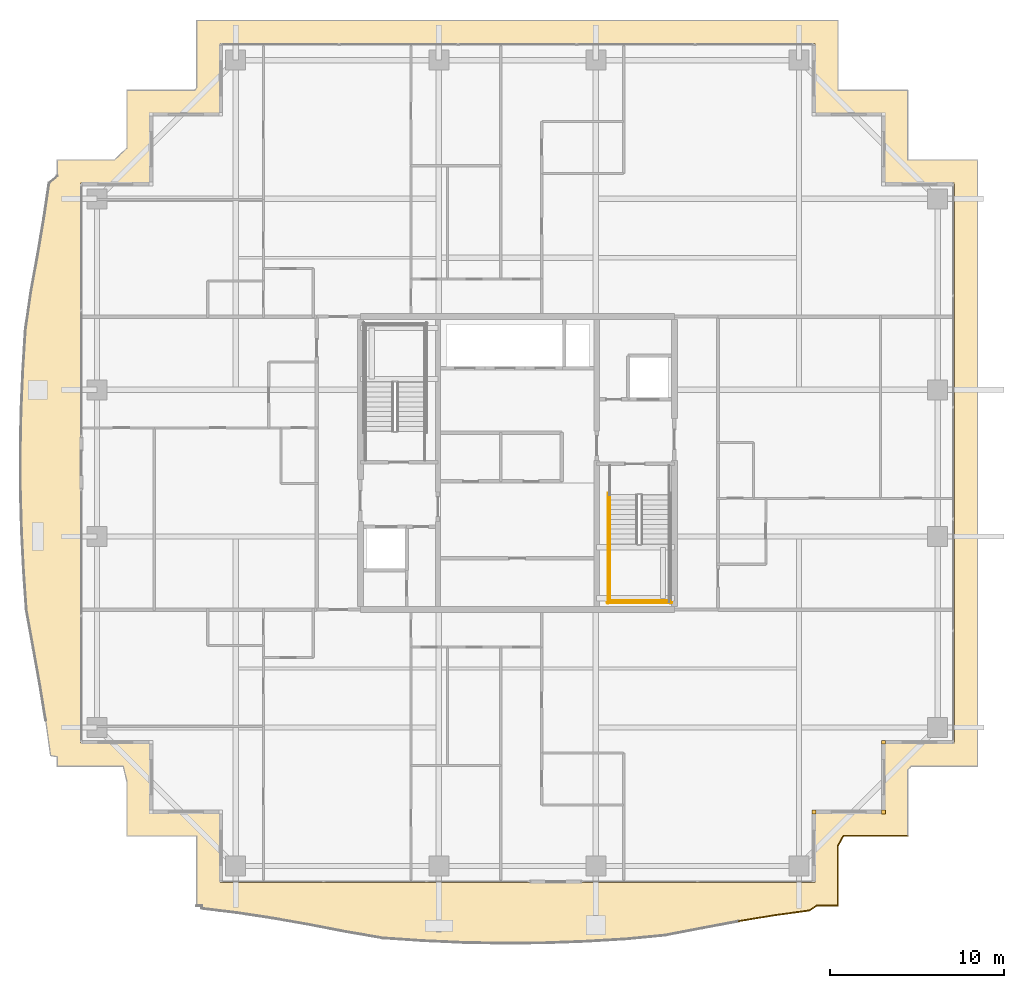
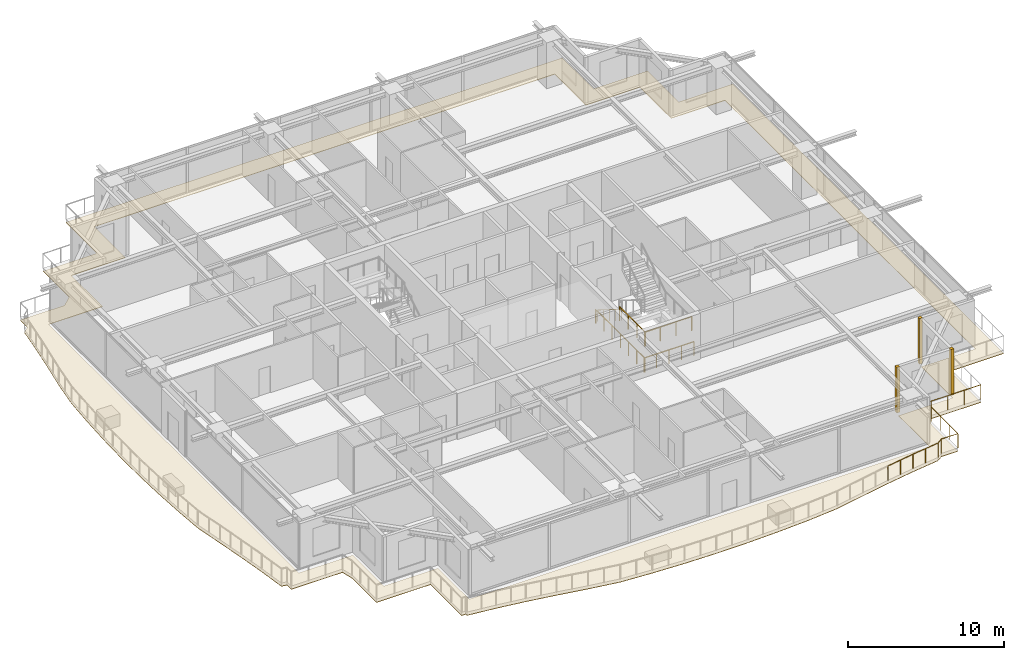
# One storey, part 34 of 36: 6 railings, 4 coverings.
"""IFC4 building model written with IfcOpenShell, lengths in metres."""

from ifc_helpers import new_model, si_unit, direction, frame, origin, origin_2d, place, context, subcontext, project, spatial, polyline, rectangle, circle, outline, extrude, source, transform, mapped, material, layer, layer_set, type_object, element, save


model = new_model("IFC4")

# Units and contexts
model_context = context("Model", 3, precision=1e-05, world=origin(), true_north=direction((0.0, 1.0)))
body_context = subcontext(model_context, "Body", "Model", "MODEL_VIEW")
ifc_project = project(units=[si_unit("LENGTHUNIT", "METRE"), si_unit("AREAUNIT", "SQUARE_METRE"), si_unit("VOLUMEUNIT", "CUBIC_METRE"), si_unit("PLANEANGLEUNIT", "RADIAN"), si_unit("MASSUNIT", "GRAM", prefix="KILO")], contexts=[model_context])

# Site, building, storey
site_placement = place(None, origin())
site = spatial("IfcSite", under=ifc_project, at=site_placement, CompositionType="ELEMENT")
building_placement = place(site_placement, origin())
building = spatial("IfcBuilding", under=site, at=building_placement, Name="Serunith Strait Residences", CompositionType="ELEMENT")
storey_placement = place(building_placement, frame((0.0, 0.0, 225.85009765625)))
storey = spatial("IfcBuildingStorey", under=building, at=storey_placement, Name="L56", CompositionType="ELEMENT", Elevation=225.85009765625)

# Covering
ifc_material_1 = material(Name="Golden Teak Exterior Timber Boarding", Category="wood")
ifc_layer_1 = layer(ifc_material_1, 0.034912109375, Name="Golden Teak Exterior Timber Boarding")
ifc_layer_set_1 = layer_set([ifc_layer_1], Name="Golden Teak Exterior Timber Boarding")
covering_type_1 = type_object("IfcCoveringType", Name="COV-TEAK-SOFFIT", PredefinedType="CEILING", material=ifc_layer_set_1)
covering_placement = place(storey_placement, frame((0.0, 0.0, -0.3251953125)))
element("IfcCovering", 1, at=covering_placement, inside=storey, type_object=covering_type_1, Name="L56 Golden-Teak Balcony Soffit Lining", PredefinedType="CEILING", context=body_context, shape_type="SweptSolid", body=[
    extrude(outline(polyline([(14.02001953125, -0.179931640625), (14.02001953125, 3.820068359375), (10.02001953125, 3.820068359375), (10.02001953125, 6.948974609375), (9.80712890625, 7.820068359375), (6.02001953125, 7.820068359375), (6.02001953125, 8.369384765625), (5.64404296875, 8.43310546875), (5.3603515625, 10.46337890625), (5.024658203125, 12.51611328125), (4.648681640625, 14.608154296875), (4.257080078125, 16.757080078125), (4.09814453125, 19.020751953125), (3.98388671875, 21.31640625), (3.919921875, 23.633544921875), (3.9111328125, 25.959716796875), (3.958740234375, 28.281005859375), (4.05810546875, 30.5849609375), (4.200927734375, 32.860595703125), (4.51904296875, 35.05126953125), (4.90380859375, 37.160888671875), (5.25439453125, 39.22509765625), (5.555908203125, 41.26171875), (6.02001953125, 41.655029296875), (6.02001953125, 42.580078125), (9.29833984375, 42.580078125), (10.02001953125, 43.2548828125), (10.02001953125, 46.580078125), (13.918212890625, 46.580078125), (14.02001953125, 46.735595703125), (14.02001953125, 50.580078125), (50.780029296875, 50.580078125), (50.780029296875, 46.580078125), (54.780029296875, 46.580078125), (54.780029296875, 42.580078125), (58.780029296875, 42.580078125), (58.780029296875, 7.820068359375), (54.97509765625, 7.820068359375), (54.780029296875, 7.597900390625), (54.780029296875, 3.820068359375), (51.09521484375, 3.820068359375), (50.780029296875, 3.25146484375), (50.780029296875, -0.179931640625), (49.544921875, -0.179931640625), (49.1474609375, -0.45556640625), (47.122314453125, -0.73291015625), (45.07861328125, -1.069091796875), (42.997802734375, -1.45654296875), (40.85986328125, -1.871337890625), (38.60595703125, -2.0869140625), (36.30419921875, -2.224365234375), (33.97607421875, -2.30908203125), (31.63525390625, -2.331298828125), (29.298095703125, -2.28857421875), (26.97998046875, -2.18505859375), (24.694091796875, -2.030517578125), (22.515380859375, -1.656005859375), (20.41455078125, -1.25048828125), (18.360107421875, -0.88720703125), (16.33154296875, -0.5810546875), (14.313720703125, -0.333740234375), (14.31494140625, -0.179931640625), (14.02001953125, -0.179931640625)]), holes=[polyline([(49.455078125, 1.14501953125), (49.455078125, 5.14501953125), (53.455078125, 5.14501953125), (53.455078125, 9.14501953125), (57.455078125, 9.14501953125), (57.455078125, 41.2548828125), (53.455078125, 41.2548828125), (53.455078125, 45.2548828125), (49.455078125, 45.2548828125), (49.455078125, 49.2548828125), (15.344970703125, 49.2548828125), (15.344970703125, 45.2548828125), (11.344970703125, 45.2548828125), (11.344970703125, 41.2548828125), (7.344970703125, 41.2548828125), (7.344970703125, 9.14501953125), (11.344970703125, 9.14501953125), (11.344970703125, 5.14501953125), (15.344970703125, 5.14501953125), (15.344970703125, 1.14501953125), (49.455078125, 1.14501953125)])]), origin(), (0.0, 0.0, 1.0), 0.03515625),
])

# Railings
ifc_material_2 = material(Name="Stainless Steel & Laminated Glass Balustrade", Category="steel")
railing_type_1 = type_object("IfcRailingType", Name="RLG-BALC-1150", PredefinedType="BALUSTRADE", material=ifc_material_2)
railing_1_placement = place(storey_placement, frame((54.780029296875, 3.820068359375, -0.050048828125)))
element("IfcRailing", 2, at=railing_1_placement, inside=storey, type_object=railing_type_1, Name="L56 Swirling Balcony Perimeter Balustrade 6", PredefinedType="BALUSTRADE", context=body_context, shape_type="SweptSolid", body=[
    extrude(circle(Radius=0.02392578125, at=origin_2d()), frame((-0.001953125, 0.0, 1.1259765625), z_axis=(-1.0, 0.0, 0.0), x_axis=(0.0, -1.0, 0.0)), (0.0, 0.0, 1.0), 3.680908203125),
    extrude(circle(Radius=0.02392578125, at=origin_2d()), frame((-3.685791015625, -0.001708984375, 1.1259765625), z_axis=(-0.484813704952, -0.874617442938, 0.0), x_axis=(0.874617442938, -0.484813704952, 0.0)), (0.0, 0.0, 1.0), 0.64599609375),
    extrude(circle(Radius=0.02392578125, at=origin_2d()), frame((-4.0, -0.570556640625, 1.1259765625), z_axis=(0.0, -1.0, 0.0), x_axis=(1.0, 0.0, 0.0)), (0.0, 0.0, 1.0), 3.427490234375),
    extrude(circle(Radius=0.02392578125, at=origin_2d()), frame((-4.001953125, -4.0, 1.1259765625), z_axis=(-1.0, 0.0, 0.0), x_axis=(0.0, -1.0, 0.0)), (0.0, 0.0, 1.0), 1.231201171875),
    extrude(circle(Radius=0.02392578125, at=origin_2d()), frame((-5.23681640625, -4.001220703125, 1.1259765625), z_axis=(-0.821737652229, -0.569865976269, 0.0), x_axis=(0.569865976269, -0.821737652229, 0.0)), (0.0, 0.0, 1.0), 0.479736328125),
    extrude(circle(Radius=0.02392578125, at=origin_2d()), frame((-5.634521484375, -4.27587890625, 1.1259765625), z_axis=(-0.990752234866, -0.135683488705, 0.0), x_axis=(0.135683488705, -0.990752234866, 0.0)), (0.0, 0.0, 1.0), 2.0400390625),
    extrude(circle(Radius=0.02392578125, at=origin_2d()), frame((-7.65966796875, -4.55322265625, 1.1259765625), z_axis=(-0.986738979295, -0.162315084756, 0.0), x_axis=(0.162315084756, -0.986738979295, 0.0)), (0.0, 0.0, 1.0), 2.067138671875),
    extrude(circle(Radius=0.02099609375, at=origin_2d()), origin(), (0.0, 0.0, 1.0), 1.099853515625),
    extrude(circle(Radius=0.02099609375, at=origin_2d()), frame((-1.228271484375, 0.0, 0.0)), (0.0, 0.0, 1.0), 1.099853515625),
    extrude(circle(Radius=0.02099609375, at=origin_2d()), frame((-2.45654296875, 0.0, 0.0)), (0.0, 0.0, 1.0), 1.099853515625),
    extrude(circle(Radius=0.02099609375, at=origin_2d()), frame((-3.684814453125, 0.0, 0.0)), (0.0, 0.0, 1.0), 1.099853515625),
    extrude(circle(Radius=0.02099609375, at=origin_2d()), frame((-4.0, -0.568603515625, 0.0)), (0.0, 0.0, 1.0), 1.099853515625),
    extrude(circle(Radius=0.02099609375, at=origin_2d()), frame((-4.0, -1.71240234375, 0.0)), (0.0, 0.0, 1.0), 1.099853515625),
    extrude(circle(Radius=0.02099609375, at=origin_2d()), frame((-4.0, -2.856201171875, 0.0)), (0.0, 0.0, 1.0), 1.099853515625),
    extrude(circle(Radius=0.02099609375, at=origin_2d()), frame((-4.0, -4.0, 0.0)), (0.0, 0.0, 1.0), 1.099853515625),
    extrude(circle(Radius=0.02099609375, at=origin_2d()), frame((-5.235107421875, -4.0, 0.0)), (0.0, 0.0, 1.0), 1.099853515625),
    extrude(circle(Radius=0.02099609375, at=origin_2d()), frame((-5.632568359375, -4.275634765625, 0.0)), (0.0, 0.0, 1.0), 1.099853515625),
    extrude(circle(Radius=0.02099609375, at=origin_2d()), frame((-6.64501953125, -4.414306640625, 0.0)), (0.0, 0.0, 1.0), 1.099853515625),
    extrude(circle(Radius=0.02099609375, at=origin_2d()), frame((-7.65771484375, -4.552978515625, 0.0)), (0.0, 0.0, 1.0), 1.099853515625),
    extrude(circle(Radius=0.02099609375, at=origin_2d()), frame((-8.6796875, -4.72119140625, 0.0)), (0.0, 0.0, 1.0), 1.099853515625),
    extrude(circle(Radius=0.02099609375, at=origin_2d()), frame((-9.701416015625, -4.88916015625, 0.0)), (0.0, 0.0, 1.0), 1.099853515625),
])
ifc_material_3 = material(Name="Brushed stainless steel 316L", Category="steel")
railing_type_2 = type_object("IfcRailingType", Name="RLG-STAIR-GUARD", PredefinedType="BALUSTRADE", material=ifc_material_3)
railing_2_placement = place(storey_placement, frame((37.699951171875, 20.570068359375, 1.9248046875)))
element("IfcRailing", 3, at=railing_2_placement, inside=storey, type_object=railing_type_2, Name="L56 ST-2 stair guard 3", PredefinedType="BALUSTRADE", context=body_context, shape_type="SweptSolid", body=[
    extrude(circle(Radius=0.02392578125, at=origin_2d()), frame((0.0, -0.001953125, 1.076171875), z_axis=(0.0, -1.0, 0.0), x_axis=(1.0, 0.0, 0.0)), (0.0, 0.0, 1.0), 3.316162109375),
    extrude(circle(Radius=0.02099609375, at=origin_2d()), origin(), (0.0, 0.0, 1.0), 1.050048828125),
    extrude(circle(Radius=0.02099609375, at=origin_2d()), frame((0.0, -1.106689453125, 0.0)), (0.0, 0.0, 1.0), 1.050048828125),
    extrude(circle(Radius=0.02099609375, at=origin_2d()), frame((0.0, -2.21337890625, 0.0)), (0.0, 0.0, 1.0), 1.050048828125),
    extrude(circle(Radius=0.02099609375, at=origin_2d()), frame((0.0, -3.320068359375, 0.0)), (0.0, 0.0, 1.0), 1.050048828125),
])
railing_3_placement = place(storey_placement, frame((37.64990234375, 17.300048828125, 1.9248046875)))
element("IfcRailing", 4, at=railing_3_placement, inside=storey, type_object=railing_type_2, Name="L56 ST-2 stair guard 5", PredefinedType="BALUSTRADE", context=body_context, shape_type="SweptSolid", body=[
    extrude(circle(Radius=0.02392578125, at=origin_2d()), frame((0.001953125, 0.0, 1.076171875), z_axis=(1.0, 0.0, 0.0), x_axis=(0.0, 1.0, 0.0)), (0.0, 0.0, 1.0), 3.49609375),
    extrude(circle(Radius=0.02099609375, at=origin_2d()), origin(), (0.0, 0.0, 1.0), 1.050048828125),
    extrude(circle(Radius=0.02099609375, at=origin_2d()), frame((1.166748046875, 0.0, 0.0)), (0.0, 0.0, 1.0), 1.050048828125),
    extrude(circle(Radius=0.02099609375, at=origin_2d()), frame((2.333251953125, 0.0, 0.0)), (0.0, 0.0, 1.0), 1.050048828125),
    extrude(circle(Radius=0.02099609375, at=origin_2d()), frame((3.5, 0.0, 0.0)), (0.0, 0.0, 1.0), 1.050048828125),
])
railing_4_placement = place(storey_placement, frame((37.60009765625, 23.469970703125, 0.0)))
element("IfcRailing", 5, at=railing_4_placement, inside=storey, type_object=railing_type_2, Name="L56 ST-2 stair guard 10", PredefinedType="BALUSTRADE", context=body_context, shape_type="SweptSolid", body=[
    extrude(circle(Radius=0.02392578125, at=origin_2d()), frame((0.0, -0.001953125, 1.076171875), z_axis=(0.0, -1.0, 0.0), x_axis=(1.0, 0.0, 0.0)), (0.0, 0.0, 1.0), 6.316162109375),
    extrude(circle(Radius=0.02099609375, at=origin_2d()), origin(), (0.0, 0.0, 1.0), 1.050048828125),
    extrude(circle(Radius=0.02099609375, at=origin_2d()), frame((0.0, -1.05322265625, 0.0)), (0.0, 0.0, 1.0), 1.050048828125),
    extrude(circle(Radius=0.02099609375, at=origin_2d()), frame((0.0, -2.106689453125, 0.0)), (0.0, 0.0, 1.0), 1.050048828125),
    extrude(circle(Radius=0.02099609375, at=origin_2d()), frame((0.0, -3.16015625, 0.0)), (0.0, 0.0, 1.0), 1.050048828125),
    extrude(circle(Radius=0.02099609375, at=origin_2d()), frame((0.0, -4.21337890625, 0.0)), (0.0, 0.0, 1.0), 1.050048828125),
    extrude(circle(Radius=0.02099609375, at=origin_2d()), frame((0.0, -5.2666015625, 0.0)), (0.0, 0.0, 1.0), 1.050048828125),
    extrude(circle(Radius=0.02099609375, at=origin_2d()), frame((0.0, -6.320068359375, 0.0)), (0.0, 0.0, 1.0), 1.050048828125),
])
railing_5_placement = place(storey_placement, frame((37.550048828125, 17.199951171875, 0.0)))
element("IfcRailing", 6, at=railing_5_placement, inside=storey, type_object=railing_type_2, Name="L56 ST-2 stair guard 12", PredefinedType="BALUSTRADE", context=body_context, shape_type="SweptSolid", body=[
    extrude(circle(Radius=0.02392578125, at=origin_2d()), frame((0.001953125, 0.0, 1.076171875), z_axis=(1.0, 0.0, 0.0), x_axis=(0.0, 1.0, 0.0)), (0.0, 0.0, 1.0), 3.696044921875),
    extrude(circle(Radius=0.02099609375, at=origin_2d()), origin(), (0.0, 0.0, 1.0), 1.050048828125),
    extrude(circle(Radius=0.02099609375, at=origin_2d()), frame((0.925048828125, 0.0, 0.0)), (0.0, 0.0, 1.0), 1.050048828125),
    extrude(circle(Radius=0.02099609375, at=origin_2d()), frame((1.85009765625, 0.0, 0.0)), (0.0, 0.0, 1.0), 1.050048828125),
    extrude(circle(Radius=0.02099609375, at=origin_2d()), frame((2.77490234375, 0.0, 0.0)), (0.0, 0.0, 1.0), 1.050048828125),
    extrude(circle(Radius=0.02099609375, at=origin_2d()), frame((3.699951171875, 0.0, 0.0)), (0.0, 0.0, 1.0), 1.050048828125),
])
railing_type_3 = type_object("IfcRailingType", Name="RLG-STAIR-HR", PredefinedType="HANDRAIL", material=ifc_material_3)
railing_6_placement = place(storey_placement, frame((37.699951171875, 23.3701171875, 0.1748046875)))
element("IfcRailing", 7, at=railing_6_placement, inside=storey, type_object=railing_type_3, Name="L56 ST-2 stair handrail 1", PredefinedType="HANDRAIL", context=body_context, shape_type="SweptSolid", body=[
    extrude(circle(Radius=0.02392578125, at=origin_2d()), frame((0.0, -0.001708984375, 0.876953125), z_axis=(0.0, -0.847363772988, 0.531012839984), x_axis=(1.0, 0.0, 0.0)), (0.0, 0.0, 1.0), 3.630859375),
    extrude(circle(Radius=0.02099609375, at=origin_2d()), origin(), (0.0, 0.0, 1.0), 0.849853515625),
    extrude(circle(Radius=0.02099609375, at=origin_2d()), frame((0.0, -0.77001953125, 0.482421875)), (0.0, 0.0, 1.0), 0.849853515625),
    extrude(circle(Radius=0.02099609375, at=origin_2d()), frame((0.0, -1.5400390625, 0.965087890625)), (0.0, 0.0, 1.0), 0.849853515625),
    extrude(circle(Radius=0.02099609375, at=origin_2d()), frame((0.0, -2.31005859375, 1.44775390625)), (0.0, 0.0, 1.0), 0.849853515625),
    extrude(circle(Radius=0.02099609375, at=origin_2d()), frame((0.0, -3.080078125, 1.93017578125)), (0.0, 0.0, 1.0), 0.849853515625),
])

# Coverings
ifc_material_4 = material(Name="Pale-Champagne Anodised Aluminium", Category="aluminium")
ifc_layer_2 = layer(ifc_material_4, 0.219970703125, Name="Pale-Champagne Anodised Aluminium")
ifc_layer_set_2 = layer_set([ifc_layer_2], Name="Pale-Champagne Anodised Aluminium")
covering_type_2 = type_object("IfcCoveringType", Name="COV-CORN-TRIM", PredefinedType="CLADDING", material=ifc_layer_set_2)
shared_shape = source(origin(), body_context, "Body", "SweptSolid", [
    extrude(rectangle(XDim=0.221923828125, YDim=0.221923828125, at=origin_2d()), origin(), (0.0, 0.0, 1.0), 3.574951171875),
])
for number, where, z_axis, x_axis, name in (
    (8, (49.39990234375, 5.199951171875, 0.0), (0.0, 0.0, 1.0), (1.0, 0.0, 0.0), "L56 Girih Serrated Corner Trim Post 02"),
    (9, (53.39990234375, 5.199951171875, 0.0), (0.0, 0.0, 1.0), (1.0, 0.0, 0.0), "L56 Girih Serrated Corner Trim Post 03"),
    (10, (53.39990234375, 9.199951171875, 0.0), (0.0, 0.0, 1.0), (1.0, 0.0, 0.0), "L56 Girih Serrated Corner Trim Post 04"),
):
    element("IfcCovering", number, at=place(storey_placement, frame(where, z_axis=z_axis, x_axis=x_axis)), inside=storey, type_object=covering_type_2, Name=name, PredefinedType="CLADDING", context=body_context, shape_type="MappedRepresentation", body=[
        mapped(shared_shape, transform((0.0, 0.0, 0.0), scale=1.0)),
    ])

save(model, "model.ifc")
